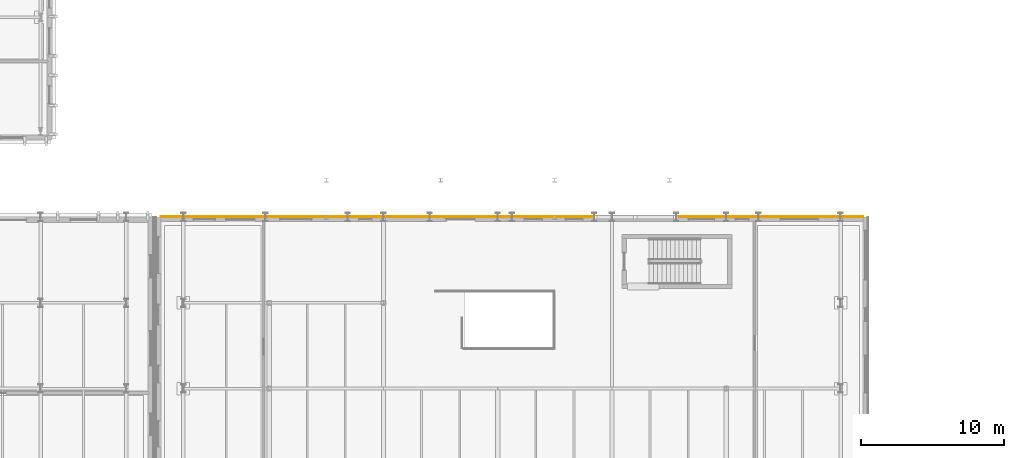
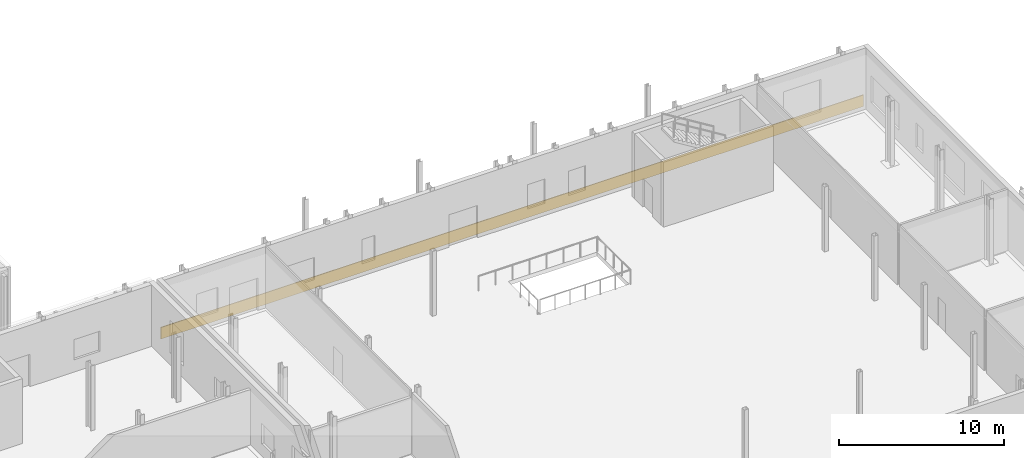
# One storey, part 51 of 60: 1 covering.
"""IFC4 building model written with IfcOpenShell, lengths in metres."""

from ifc_helpers import new_model, si_unit, direction, frame, frame_2d, origin, place, context, subcontext, project, spatial, rectangle, extrude, material, layer, layer_set, type_object, element, save


model = new_model("IFC4")

# Units and contexts
model_context = context("Model", 3, precision=1e-05, world=origin(), true_north=direction((0.0, 1.0)))
body_context = subcontext(model_context, "Body", "Model", "MODEL_VIEW")
ifc_project = project(units=[si_unit("LENGTHUNIT", "METRE"), si_unit("AREAUNIT", "SQUARE_METRE"), si_unit("VOLUMEUNIT", "CUBIC_METRE"), si_unit("PLANEANGLEUNIT", "RADIAN"), si_unit("MASSUNIT", "GRAM", prefix="KILO")], contexts=[model_context])

# Site, building, storey
site_placement = place(None, origin())
site = spatial("IfcSite", under=ifc_project, at=site_placement, CompositionType="ELEMENT")
building_placement = place(site_placement, origin())
building = spatial("IfcBuilding", under=site, at=building_placement, Name="Cymarion Research Institute", CompositionType="ELEMENT")
storey_placement = place(building_placement, origin())
storey = spatial("IfcBuildingStorey", under=building, at=storey_placement, Name="L00", CompositionType="ELEMENT", Elevation=0.0)

# Covering
ifc_material = material(Name="Campanian volcanic piperno stone rainscreen", Category="masonry")
ifc_layer = layer(ifc_material, 0.050048828125)
ifc_layer_set = layer_set([ifc_layer], Name="Campanian volcanic piperno stone rainscreen")
covering_type = type_object("IfcCoveringType", Name="VENTILATED TUFF STONE SPANDREL CLADDING COV-CL01", PredefinedType="CLADDING", material=ifc_layer_set)
covering_placement = place(storey_placement, frame((104.197998046875, 41.52490234375, 0.0), z_axis=(0.0, 0.0, 1.0), x_axis=(-1.0, 0.0, 0.0)))
element("IfcCovering", 1, at=covering_placement, inside=storey, type_object=covering_type, Name="L00 V2 volcanic piperno stone spandrel cladding #4", PredefinedType="CLADDING", context=body_context, shape_type="SweptSolid", body=[
    extrude(rectangle(XDim=49.196044921875, YDim=0.050048828125, at=frame_2d((24.59814453125, 0.0))), origin(), (0.0, 0.0, 1.0), 0.860107421875),
])

save(model, "model.ifc")
